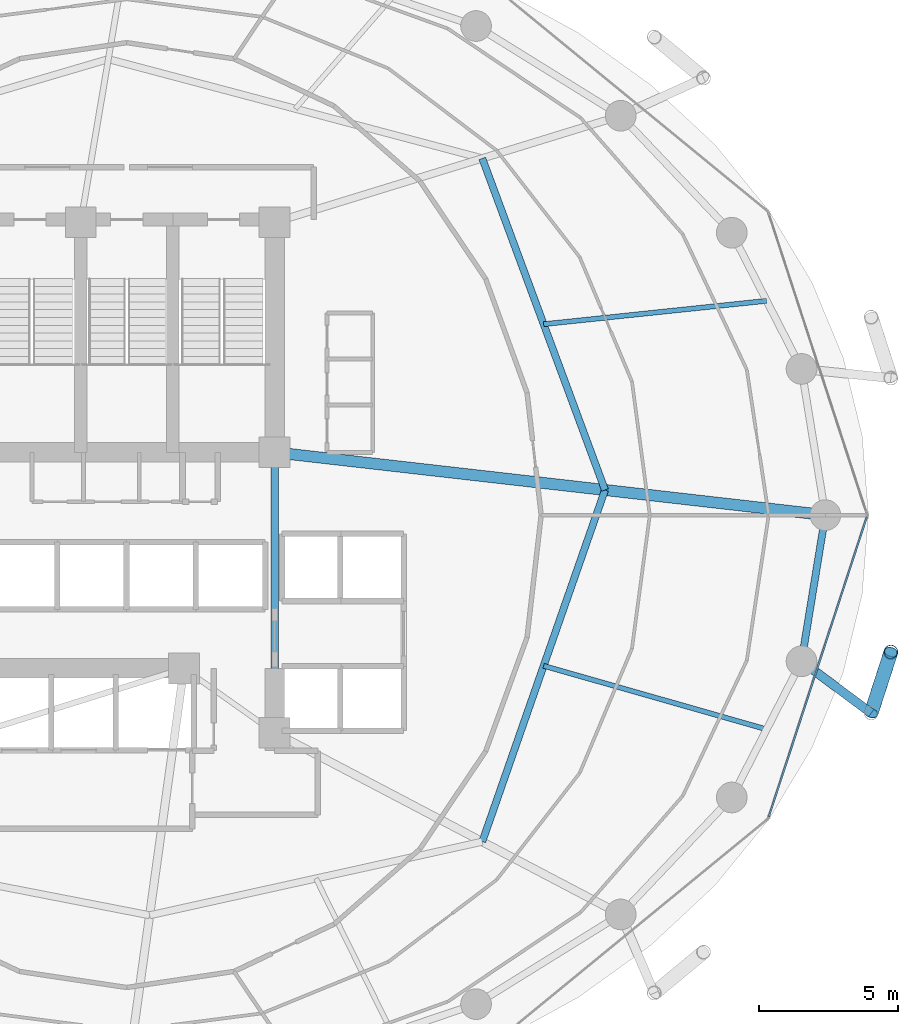
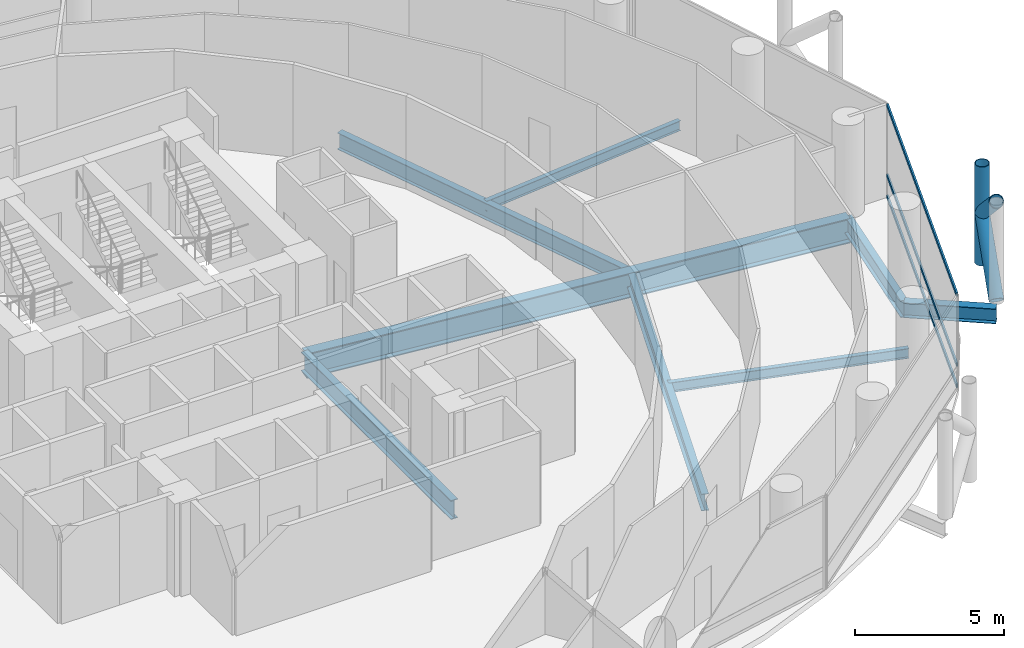
# One storey, part 11 of 26: 8 beams, 6 members, 1 element without a shape of its own.
"""IFC4 building model written with IfcOpenShell, lengths in metres."""

import ifcopenshell
import ifcopenshell.guid

model = None  # the IFC model being written
_history = None  # IfcOwnerHistory: only IFC2X3 demands one
_inside = {}  # id of a spatial element -> (the spatial element, [elements in it])
_under = {}  # id of a project, library or spatial element -> (it, [spatial elements below it])
_declared = {}  # id of a project -> (the project, [libraries it declares])
_typed = {}  # id of a type object -> (the type object, [elements of that type])
_made_of = {}  # id of a material, layer set ... -> (it, [elements and type objects made of it])


def new_model(schema):
    """Start an empty IFC model of exactly this schema.

    Asked for "IFC4X3", IfcOpenShell would pick the latest addendum, in which some entities
    have other attributes; the version numbers below select the first issue.
    IFC2X3 requires an IfcOwnerHistory on every rooted entity: one is made here for all.
    """
    global model, _history
    if schema == "IFC4X3":
        model = ifcopenshell.file(schema_version=(4, 3, 0, 0))
    else:
        model = ifcopenshell.file(schema=schema)
    _inside.clear()
    _under.clear()
    _declared.clear()
    _typed.clear()
    _made_of.clear()
    _history = None
    if model.schema == "IFC2X3":
        org = make("IfcOrganization", Name="unknown")
        user = make(
            "IfcPersonAndOrganization",
            ThePerson=make("IfcPerson", FamilyName="unknown"),
            TheOrganization=org,
        )
        app = make(
            "IfcApplication",
            ApplicationDeveloper=org,
            Version="unknown",
            ApplicationFullName="unknown",
            ApplicationIdentifier="unknown",
        )
        _history = make(
            "IfcOwnerHistory",
            OwningUser=user,
            OwningApplication=app,
            ChangeAction="ADDED",
            CreationDate=0,
        )
    return model


def make(cls, **values):
    """One entity of the class cls with the attributes given. An attribute that is None is left unset."""
    return model.create_entity(
        cls, **{name: value for name, value in values.items() if value is not None}
    )


def rooted(cls, **values):
    """An entity with a GlobalId (a new one), such as an element, a storey or a relation."""
    return make(cls, GlobalId=ifcopenshell.guid.new(), OwnerHistory=_history, **values)


def si_unit(unit_type, name, prefix=None):
    """IfcSIUnit, for example si_unit("LENGTHUNIT", "METRE", prefix="MILLI")."""
    return make("IfcSIUnit", UnitType=unit_type, Prefix=prefix, Name=name)


def assignment(units):
    """IfcUnitAssignment: the units of a project."""
    return None if units is None else make("IfcUnitAssignment", Units=units)


def point(xyz):
    """IfcCartesianPoint."""
    return None if xyz is None else make("IfcCartesianPoint", Coordinates=xyz)


def direction(xyz):
    """IfcDirection."""
    return None if xyz is None else make("IfcDirection", DirectionRatios=xyz)


def frame(location, z_axis=None, x_axis=None):
    """IfcAxis2Placement3D, a coordinate frame: its origin and axes. An axis left out is left unset."""
    return make(
        "IfcAxis2Placement3D",
        Location=point(location),
        Axis=direction(z_axis),
        RefDirection=direction(x_axis),
    )


def frame_2d(location, x_axis=None):
    """IfcAxis2Placement2D, a coordinate frame in the plane: its origin and x axis."""
    return make(
        "IfcAxis2Placement2D", Location=point(location), RefDirection=direction(x_axis)
    )


def origin():
    """The frame at (0, 0, 0) with its axes left unset."""
    return frame((0.0, 0.0, 0.0))


def origin_2d():
    """The frame at (0, 0) in the plane with its x axis left unset."""
    return frame_2d((0.0, 0.0))


def place(relative_to, where):
    """IfcLocalPlacement: puts the frame where relative to a parent placement (None: the world)."""
    return make(
        "IfcLocalPlacement", PlacementRelTo=relative_to, RelativePlacement=where
    )


def context(
    kind, dimensions, precision=None, world=None, true_north=None, identifier=None
):
    """IfcGeometricRepresentationContext, for example the 3D "Model" context."""
    return make(
        "IfcGeometricRepresentationContext",
        ContextIdentifier=identifier,
        ContextType=kind,
        CoordinateSpaceDimension=dimensions,
        Precision=precision,
        WorldCoordinateSystem=world,
        TrueNorth=true_north,
    )


def subcontext(parent, identifier, kind, view, scale=None):
    """IfcGeometricRepresentationSubContext, for example "Body" below "Model"."""
    return make(
        "IfcGeometricRepresentationSubContext",
        ContextIdentifier=identifier,
        ContextType=kind,
        ParentContext=parent,
        TargetScale=scale,
        TargetView=view,
    )


def project(units=None, contexts=None):
    """IfcProject with its units and contexts."""
    return rooted(
        "IfcProject",
        Name="project",
        RepresentationContexts=contexts,
        UnitsInContext=assignment(units),
    )


def spatial(cls, under=None, at=None, **own):
    """A site, building, storey or space (cls), placed at a placement, below another one or the project."""
    s = rooted(cls, ObjectPlacement=at, **own)
    if under is not None:
        _under.setdefault(under.id(), (under, []))[1].append(s)
    return s


def profile(cls, at=None, kind="AREA", **sizes):
    """A parametric profile (cls). Its sizes go by their IFC names, for example OverallWidth=200.0."""
    return make(cls, ProfileType=kind, Position=at, **sizes)


def hollow_rectangle(**sizes):
    """IfcRectangleHollowProfileDef."""
    return profile("IfcRectangleHollowProfileDef", **sizes)


def hollow_circle(**sizes):
    """IfcCircleHollowProfileDef."""
    return profile("IfcCircleHollowProfileDef", **sizes)


def i_section(**sizes):
    """IfcIShapeProfileDef."""
    return profile("IfcIShapeProfileDef", **sizes)


def extrude(swept, where, along, depth):
    """IfcExtrudedAreaSolid: the profile swept, set in the frame where, extruded along a direction by depth."""
    return make(
        "IfcExtrudedAreaSolid",
        SweptArea=swept,
        Position=where,
        ExtrudedDirection=direction(along),
        Depth=depth,
    )


def shape(context_of_items, identifier, shape_type, items):
    """IfcShapeRepresentation: the items that make up one representation, for example the "Body"."""
    return make(
        "IfcShapeRepresentation",
        ContextOfItems=context_of_items,
        RepresentationIdentifier=identifier,
        RepresentationType=shape_type,
        Items=items,
    )


def material(Name=None, Category=None):
    """IfcMaterial."""
    return make("IfcMaterial", Name=Name, Category=Category)


def layer(
    of_material, thickness, ventilated=None, Name=None, Category=None, Priority=None
):
    """IfcMaterialLayer: one layer of a wall or slab, of a material (None: an air gap)."""
    return make(
        "IfcMaterialLayer",
        Material=of_material,
        LayerThickness=thickness,
        IsVentilated=ventilated,
        Name=Name,
        Category=Category,
        Priority=Priority,
    )


def layer_set(layers, Name=None):
    """IfcMaterialLayerSet."""
    return make("IfcMaterialLayerSet", MaterialLayers=layers, LayerSetName=Name)


def material_profile(
    of_material, cross_section, Name=None, Category=None, Priority=None
):
    """IfcMaterialProfile: a cross section and its material."""
    return make(
        "IfcMaterialProfile",
        Name=Name,
        Material=of_material,
        Profile=cross_section,
        Priority=Priority,
        Category=Category,
    )


def profile_set(profiles, Name=None, composite=None):
    """IfcMaterialProfileSet."""
    return make(
        "IfcMaterialProfileSet",
        Name=Name,
        MaterialProfiles=profiles,
        CompositeProfile=composite,
    )


def made_of(thing, what):
    """Note that an element or type object is made of a material, layer set ...; save() writes the relation."""
    if what is not None:
        _made_of.setdefault(what.id(), (what, []))[1].append(thing)
    return thing


def type_object(cls, material=None, **own):
    """A type object (cls), such as IfcWallType, which elements share."""
    return made_of(rooted(cls, **own), material)


def element(
    cls,
    number,
    at=None,
    inside=None,
    cuts=None,
    type_object=None,
    material=None,
    context=None,
    identifier="Body",
    shape_type=None,
    held_by="IfcProductDefinitionShape",
    body=None,
    shapes=None,
    **own,
):
    """One element of the class cls, such as IfcWall. Its Tag is "e" and its number.

    at: its placement. inside: the storey or other place that contains it. cuts: it is an
    opening in that element (IfcRelVoidsElement). A single representation is given by context,
    identifier, shape_type and body (its items); several are given by shapes. held_by: the class
    of the entity that holds the representations. save() writes the other relations.
    """
    e = rooted(cls, Tag="e%d" % number, ObjectPlacement=at, **own)
    if body is not None:
        shapes = [shape(context, identifier, shape_type, body)]
    if shapes is not None:
        e.Representation = make(held_by, Representations=shapes)
    if inside is not None:
        _inside.setdefault(inside.id(), (inside, []))[1].append(e)
    if cuts is not None:
        rooted(
            "IfcRelVoidsElement", RelatingBuildingElement=cuts, RelatedOpeningElement=e
        )
    if type_object is not None:
        _typed.setdefault(type_object.id(), (type_object, []))[1].append(e)
    return made_of(e, material)


def aggregate(whole, parts):
    """IfcRelAggregates: a whole, such as a stair, and the parts it consists of."""
    return rooted("IfcRelAggregates", RelatingObject=whole, RelatedObjects=parts)


def save(model, path):
    """Write the relations noted so far, then the file.

    IfcRelAggregates (storeys below a building ...), IfcRelContainedInSpatialStructure (elements
    in a storey), IfcRelDefinesByType, IfcRelAssociatesMaterial and IfcRelDeclares: one each for
    every whole, place, type object, material and project.
    """
    for whole, parts in _under.values():
        aggregate(whole, parts)
    for where, things in _inside.values():
        rooted(
            "IfcRelContainedInSpatialStructure",
            RelatedElements=things,
            RelatingStructure=where,
        )
    for kind, things in _typed.values():
        rooted("IfcRelDefinesByType", RelatedObjects=things, RelatingType=kind)
    for what, things in _made_of.values():
        rooted("IfcRelAssociatesMaterial", RelatedObjects=things, RelatingMaterial=what)
    for by, libraries in _declared.values():
        rooted("IfcRelDeclares", RelatingContext=by, RelatedDefinitions=libraries)
    model.write(path)


model = new_model("IFC4")

# Units and contexts
model_context = context("Model", 3, precision=1e-05, world=origin(), true_north=direction((0.0, 1.0)))
body_context = subcontext(model_context, "Body", "Model", "MODEL_VIEW")
ifc_project = project(units=[si_unit("LENGTHUNIT", "METRE"), si_unit("AREAUNIT", "SQUARE_METRE"), si_unit("VOLUMEUNIT", "CUBIC_METRE"), si_unit("PLANEANGLEUNIT", "RADIAN"), si_unit("MASSUNIT", "GRAM", prefix="KILO")], contexts=[model_context])

# Site, building, storey
site_placement = place(None, origin())
site = spatial("IfcSite", under=ifc_project, at=site_placement, CompositionType="ELEMENT")
building_placement = place(site_placement, origin())
building = spatial("IfcBuilding", under=site, at=building_placement, Name="Nuhasar Tower", CompositionType="ELEMENT")
storey_placement = place(building_placement, frame((0.0, 0.0, 97.949951171875)))
storey = spatial("IfcBuildingStorey", under=building, at=storey_placement, Name="L23", CompositionType="ELEMENT", Elevation=97.949951171875)

# Beams
ifc_material_1 = material(Name="Steel S355", Category="steel")
ifc_material_profile_1 = material_profile(ifc_material_1, i_section(OverallWidth=0.25390625, OverallDepth=0.68408203125, WebThickness=0.012451171875, FlangeThickness=0.018798828125, at=origin_2d()), Name="W27X94")
ifc_profile_set_1 = profile_set([ifc_material_profile_1], Name="Steel S355")
beam_type_1 = type_object("IfcBeamType", Name="BM-INRING-W27X94", PredefinedType="BEAM", material=ifc_profile_set_1)
beam_1_placement = place(storey_placement, frame((51.748046875, 15.089111328125, -0.592041015625), z_axis=(0.329554049858, 0.944136710558, 0.0), x_axis=(-0.944136710558, 0.329554049858, 0.0)))
element("IfcBeam", 1, at=beam_1_placement, inside=storey, type_object=beam_type_1, Name="L23 Inner Header Beam 03", PredefinedType="BEAM", context=body_context, shape_type="SweptSolid", body=[
    extrude(i_section(OverallWidth=0.25390625, OverallDepth=0.68408203125, WebThickness=0.012451171875, FlangeThickness=0.018798828125, at=origin_2d()), origin(), (0.0, 0.0, 1.0), 13.35693359375),
])
beam_2_placement = place(storey_placement, frame((56.14990234375, 27.699951171875, -0.592041015625), z_axis=(-0.34715757476, 0.937806812881, 0.0), x_axis=(-0.937806812881, -0.34715757476, 0.0)))
element("IfcBeam", 2, at=beam_2_placement, inside=storey, type_object=beam_type_1, Name="L23 Inner Header Beam 04", PredefinedType="BEAM", context=body_context, shape_type="SweptSolid", body=[
    extrude(i_section(OverallWidth=0.25390625, OverallDepth=0.68408203125, WebThickness=0.012451171875, FlangeThickness=0.018798828125, at=origin_2d()), origin(), (0.0, 0.0, 1.0), 12.6796875),
])
ifc_material_profile_2 = material_profile(ifc_material_1, i_section(OverallWidth=0.177978515625, OverallDepth=0.406005859375, WebThickness=0.0078125, FlangeThickness=0.0126953125, at=origin_2d()), Name="W16X40")
ifc_profile_set_2 = profile_set([ifc_material_profile_2], Name="Steel S355")
beam_type_2 = type_object("IfcBeamType", Name="BM-JST-W16X40", PredefinedType="JOIST", material=ifc_profile_set_2)
beam_3_placement = place(storey_placement, frame((53.948974609375, 21.39501953125, -0.452880859375), z_axis=(0.961730884496, -0.273995813484, 0.0), x_axis=(0.273995813484, 0.961730884496, 0.0)))
element("IfcBeam", 3, at=beam_3_placement, inside=storey, type_object=beam_type_2, Name="L23 Secondary Floor Joist 03", PredefinedType="JOIST", context=body_context, shape_type="SweptSolid", body=[
    extrude(i_section(OverallWidth=0.177978515625, OverallDepth=0.406005859375, WebThickness=0.0078125, FlangeThickness=0.0126953125, at=origin_2d()), origin(), (0.0, 0.0, 1.0), 8.314208984375),
])
beam_4_placement = place(storey_placement, frame((53.948974609375, 33.64501953125, -0.452880859375), z_axis=(0.994554594377, 0.104216883485, 0.0), x_axis=(-0.104216883485, 0.994554594377, 0.0)))
element("IfcBeam", 4, at=beam_4_placement, inside=storey, type_object=beam_type_2, Name="L23 Secondary Floor Joist 04", PredefinedType="JOIST", context=body_context, shape_type="SweptSolid", body=[
    extrude(i_section(OverallWidth=0.177978515625, OverallDepth=0.406005859375, WebThickness=0.0078125, FlangeThickness=0.0126953125, at=origin_2d()), origin(), (0.0, 0.0, 1.0), 8.039794921875),
])
ifc_material_profile_3 = material_profile(ifc_material_1, i_section(OverallWidth=0.26611328125, OverallDepth=0.779052734375, WebThickness=0.0166015625, FlangeThickness=0.030029296875, at=origin_2d()), Name="W30X148")
ifc_profile_set_3 = profile_set([ifc_material_profile_3], Name="Steel S355")
beam_type_3 = type_object("IfcBeamType", Name="BM-RAD-W30X148", PredefinedType="BEAM", material=ifc_profile_set_3)
beam_5_placement = place(storey_placement, frame((44.300048828125, 19.0, -0.638916015625), z_axis=(0.0, 1.0, 0.0), x_axis=(-1.0, 0.0, 0.0)))
element("IfcBeam", 5, at=beam_5_placement, inside=storey, type_object=beam_type_3, Name="L23 Core Ring Girder 3", PredefinedType="BEAM", context=body_context, shape_type="SweptSolid", body=[
    extrude(i_section(OverallWidth=0.26611328125, OverallDepth=0.779052734375, WebThickness=0.0166015625, FlangeThickness=0.030029296875, at=origin_2d()), origin(), (0.0, 0.0, 1.0), 10.050048828125),
])
ifc_material_profile_4 = material_profile(ifc_material_1, i_section(OverallWidth=0.256103515625, OverallDepth=0.693115234375, WebThickness=0.014404296875, FlangeThickness=0.023681640625, at=origin_2d()), Name="W27X114")
ifc_profile_set_4 = profile_set([ifc_material_profile_4], Name="Steel S355")
beam_type_4 = type_object("IfcBeamType", Name="BM-RING-W27X114", PredefinedType="SPANDREL", material=ifc_profile_set_4)
beam_6_placement = place(storey_placement, frame((63.196044921875, 21.55908203125, -0.596923828125), z_axis=(0.160826635486, 0.986982671235, 0.0), x_axis=(-0.986982671235, 0.160826635486, 0.0)))
element("IfcBeam", 6, at=beam_6_placement, inside=storey, type_object=beam_type_4, Name="L23 Perimeter Ring Spandrel 24", PredefinedType="SPANDREL", context=body_context, shape_type="SweptSolid", body=[
    extrude(i_section(OverallWidth=0.256103515625, OverallDepth=0.693115234375, WebThickness=0.014404296875, FlangeThickness=0.023681640625, at=origin_2d()), origin(), (0.0, 0.0, 1.0), 5.31005859375),
])
ifc_material_profile_5 = material_profile(ifc_material_1, i_section(OverallWidth=0.323974609375, OverallDepth=0.611083984375, WebThickness=0.0126953125, FlangeThickness=0.01904296875, at=origin_2d()), Name="W24X104")
ifc_profile_set_5 = profile_set([ifc_material_profile_5], Name="Steel S355")
beam_type_5 = type_object("IfcBeamType", Name="BM-TIE-W24X104", PredefinedType="BEAM", material=ifc_profile_set_5)
beam_7_placement = place(storey_placement, frame((63.196044921875, 21.55908203125, -0.554931640625), z_axis=(0.802113478067, -0.597171640572, 0.0), x_axis=(0.597171640572, 0.802113478067, 0.0)))
element("IfcBeam", 7, at=beam_7_placement, inside=storey, type_object=beam_type_5, Name="L23 Exoskeleton Node Tie Beam 12", PredefinedType="BEAM", context=body_context, shape_type="SweptSolid", body=[
    extrude(i_section(OverallWidth=0.323974609375, OverallDepth=0.611083984375, WebThickness=0.0126953125, FlangeThickness=0.01904296875, at=origin_2d()), origin(), (0.0, 0.0, 1.0), 3.111572265625),
])
ifc_material_2 = material(Name="Steel S460", Category="steel")
ifc_material_profile_6 = material_profile(ifc_material_2, i_section(OverallWidth=0.40087890625, OverallDepth=1.010009765625, WebThickness=0.023681640625, FlangeThickness=0.0419921875, at=origin_2d()), Name="W40X297")
ifc_profile_set_6 = profile_set([ifc_material_profile_6], Name="Steel S460")
beam_type_6 = type_object("IfcBeamType", Name="BM-XFER-W40X297", PredefinedType="USERDEFINED", material=ifc_profile_set_6)
beam_8_placement = place(storey_placement, frame((44.300048828125, 29.050048828125, -0.7548828125), z_axis=(0.993573147212, -0.113191877531, 0.0), x_axis=(0.113191877531, 0.993573147212, 0.0)))
element("IfcBeam", 8, at=beam_8_placement, inside=storey, type_object=beam_type_6, Name="L23 Radial Floor Girder 04", ObjectType="GIRDER", PredefinedType="USERDEFINED", context=body_context, shape_type="SweptSolid", body=[
    extrude(i_section(OverallWidth=0.40087890625, OverallDepth=1.010009765625, WebThickness=0.023681640625, FlangeThickness=0.0419921875, at=origin_2d()), origin(), (0.0, 0.0, 1.0), 19.877685546875),
])

# Curtain wall, members
ifc_material_3 = material(Name="Aluminium 6063-T6", Category="aluminium")
ifc_layer = layer(ifc_material_3, 0.199951171875)
ifc_layer_set = layer_set([ifc_layer], Name="Aluminium 6063-T6")
curtain_wall_type = type_object("IfcCurtainWallType", Name="CW-Z1-OFF", PredefinedType="NOTDEFINED", material=ifc_layer_set)
curtain_wall_placement = place(storey_placement, origin())
curtain_wall = element("IfcCurtainWall", 9, at=curtain_wall_placement, inside=storey, type_object=curtain_wall_type, Name="L23 Unitised Curtain Wall 12", PredefinedType="NOTDEFINED")
ifc_material_profile_7 = material_profile(ifc_material_3, hollow_rectangle(XDim=0.06494140625, YDim=0.14990234375, WallThickness=0.00439453125, at=origin_2d()), Name="CWT-2")
ifc_profile_set_7 = profile_set([ifc_material_profile_7], Name="Aluminium 6063-T6")
member_type_1 = type_object("IfcMemberType", Name="CW-TRN-S2", PredefinedType="USERDEFINED", material=ifc_profile_set_7)
member_1_placement = place(storey_placement, frame((62.022216796875, 15.981689453125, 0.032470703125), z_axis=(0.310818687697, 0.950469222741, 0.0), x_axis=(-0.950469222741, 0.310818687697, 0.0)))
member_1 = element("IfcMember", 10, at=member_1_placement, type_object=member_type_1, Name="CW-Z1 transom 1.1", ObjectType="TRANSOM", PredefinedType="USERDEFINED", context=body_context, shape_type="SweptSolid", body=[
    extrude(hollow_rectangle(XDim=0.06494140625, YDim=0.14990234375, WallThickness=0.00439453125, at=origin_2d()), origin(), (0.0, 0.0, 1.0), 11.317138671875),
])
member_2_placement = place(storey_placement, frame((62.022216796875, 15.981689453125, 0.900146484375), z_axis=(0.310818687697, 0.950469222741, 0.0), x_axis=(-0.950469222741, 0.310818687697, 0.0)))
member_2 = element("IfcMember", 11, at=member_2_placement, type_object=member_type_1, Name="CW-Z1 transom 1.2", ObjectType="TRANSOM", PredefinedType="USERDEFINED", context=body_context, shape_type="SweptSolid", body=[
    extrude(hollow_rectangle(XDim=0.06494140625, YDim=0.14990234375, WallThickness=0.00439453125, at=origin_2d()), origin(), (0.0, 0.0, 1.0), 11.317138671875),
])
member_3_placement = place(storey_placement, frame((62.022216796875, 15.981689453125, 3.767578125), z_axis=(0.310818687697, 0.950469222741, 0.0), x_axis=(-0.950469222741, 0.310818687697, 0.0)))
member_3 = element("IfcMember", 12, at=member_3_placement, type_object=member_type_1, Name="CW-Z1 transom 1.3", ObjectType="TRANSOM", PredefinedType="USERDEFINED", context=body_context, shape_type="SweptSolid", body=[
    extrude(hollow_rectangle(XDim=0.06494140625, YDim=0.14990234375, WallThickness=0.00439453125, at=origin_2d()), origin(), (0.0, 0.0, 1.0), 11.317138671875),
])
aggregate(curtain_wall, [member_1, member_2, member_3])

# Members
ifc_material_profile_8 = material_profile(ifc_material_2, hollow_circle(Radius=0.25390625, WallThickness=0.025390625, at=origin_2d()), Name="HSS508X25.4")
ifc_profile_set_8 = profile_set([ifc_material_profile_8], Name="Steel S460")
member_type_2 = type_object("IfcMemberType", Name="EXO-BRONZE-508", PredefinedType="BRACE", material=ifc_profile_set_8)
member_4_placement = place(storey_placement, frame((66.39990234375, 21.889892578125, 0.0), z_axis=(0.0, 0.0, 1.0), x_axis=(1.0, 0.0, 0.0)))
element("IfcMember", 13, at=member_4_placement, inside=storey, type_object=member_type_2, Name="L23 Exoskeleton Chord Column EC-12B", PredefinedType="BRACE", context=body_context, shape_type="SweptSolid", body=[
    extrude(hollow_circle(Radius=0.25390625, WallThickness=0.025390625, at=origin_2d()), origin(), (0.0, 0.0, 1.0), 4.050048828125),
])
member_5_placement = place(storey_placement, frame((65.69189453125, 19.700927734375, 0.0), z_axis=(0.230999678299, 0.714187281251, 0.660738734997), x_axis=(-0.951468282519, 0.307746823478, 0.0)))
element("IfcMember", 14, at=member_5_placement, inside=storey, type_object=member_type_2, Name="L23 Bronze Diagrid Brace W1-12", PredefinedType="BRACE", context=body_context, shape_type="SweptSolid", body=[
    extrude(hollow_circle(Radius=0.25390625, WallThickness=0.025390625, at=origin_2d()), origin(), (0.0, 0.0, 1.0), 3.06494140625),
])
member_6_placement = place(storey_placement, frame((66.39990234375, 21.889892578125, 2.025146484375), z_axis=(-0.231011836313, -0.714224870475, 0.660693851854), x_axis=(0.951468282519, -0.307746823478, 0.0)))
element("IfcMember", 15, at=member_6_placement, inside=storey, type_object=member_type_2, Name="L23 Bronze Diagrid Brace W2-12", PredefinedType="BRACE", context=body_context, shape_type="SweptSolid", body=[
    extrude(hollow_circle(Radius=0.25390625, WallThickness=0.025390625, at=origin_2d()), origin(), (0.0, 0.0, 1.0), 3.064697265625),
])

save(model, "model.ifc")
